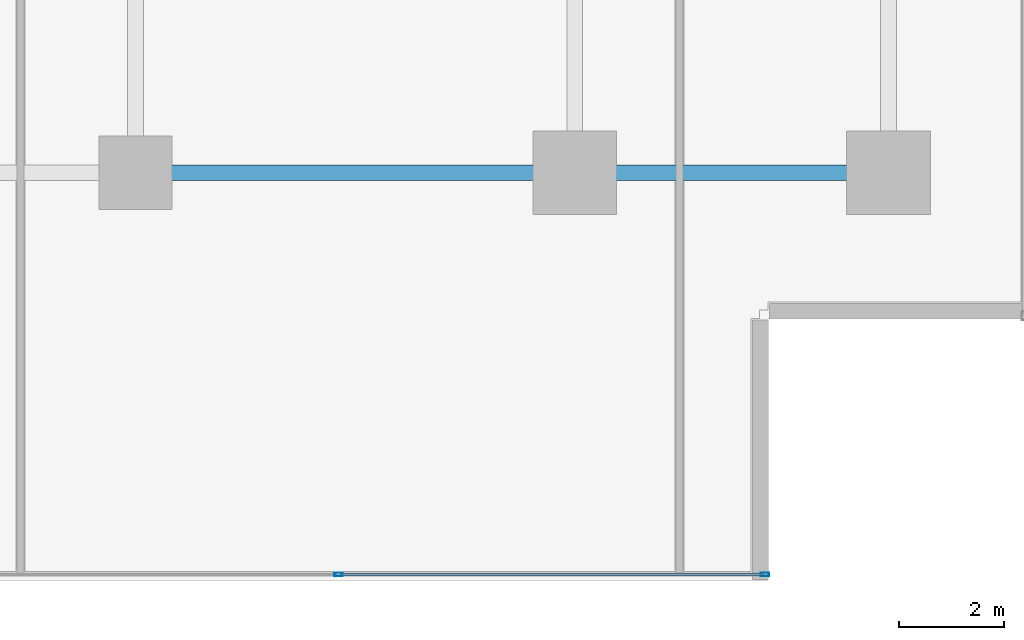
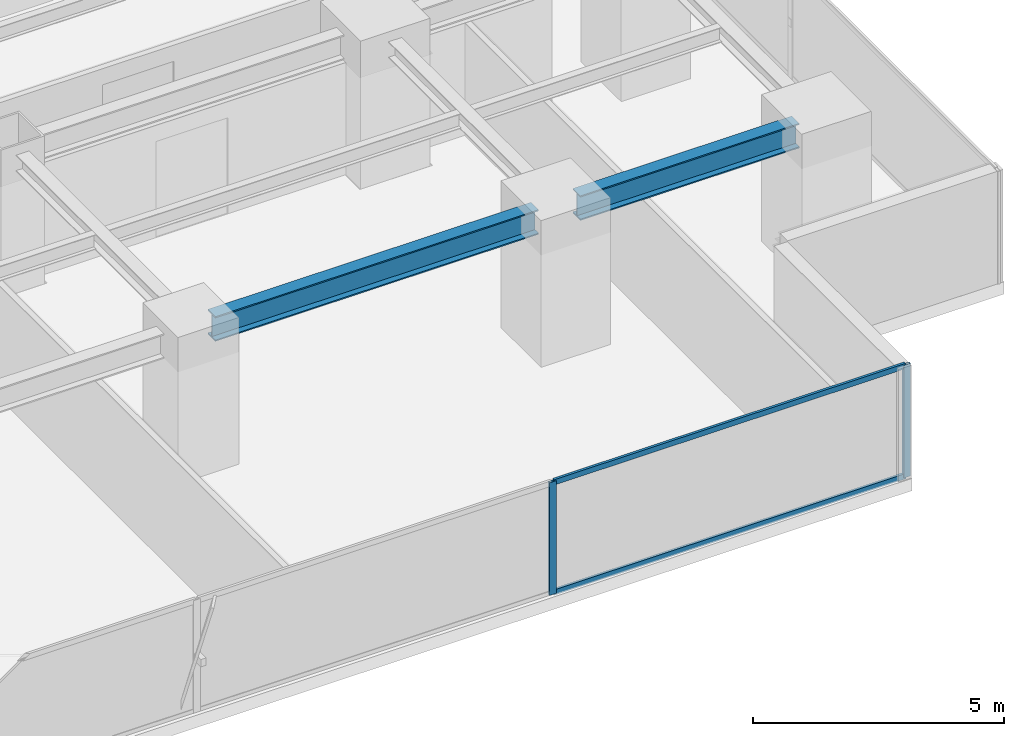
# One storey, part 12 of 36: 4 members, 2 beams, 1 element without a shape of its own.
"""IFC4 building model written with IfcOpenShell, lengths in metres."""

from ifc_helpers import new_model, si_unit, direction, frame, origin, origin_2d, place, context, subcontext, project, spatial, hollow_rectangle, i_section, extrude, source, transform, mapped, material, layer, layer_set, material_profile, profile_set, type_object, element, aggregate, save


model = new_model("IFC4")

# Units and contexts
model_context = context("Model", 3, precision=1e-05, world=origin(), true_north=direction((0.0, 1.0)))
body_context = subcontext(model_context, "Body", "Model", "MODEL_VIEW")
ifc_project = project(units=[si_unit("LENGTHUNIT", "METRE"), si_unit("AREAUNIT", "SQUARE_METRE"), si_unit("VOLUMEUNIT", "CUBIC_METRE"), si_unit("PLANEANGLEUNIT", "RADIAN"), si_unit("MASSUNIT", "GRAM", prefix="KILO")], contexts=[model_context])

# Site, building, storey
site_placement = place(None, origin())
site = spatial("IfcSite", under=ifc_project, at=site_placement, CompositionType="ELEMENT")
building_placement = place(site_placement, origin())
building = spatial("IfcBuilding", under=site, at=building_placement, Name="Sumidabori Civic Tower", CompositionType="ELEMENT")
storey_placement = place(building_placement, frame((0.0, 0.0, 77.60009765625)))
storey = spatial("IfcBuildingStorey", under=building, at=storey_placement, Name="L19", CompositionType="ELEMENT", Elevation=77.60009765625)

# Beams
ifc_material_1 = material(Name="Steel SN490", Category="steel")
ifc_material_profile_1 = material_profile(ifc_material_1, i_section(OverallWidth=0.300048828125, OverallDepth=0.60009765625, WebThickness=0.015380859375, FlangeThickness=0.030029296875, at=origin_2d()), Name="HE 600 B")
ifc_profile_set_1 = profile_set([ifc_material_profile_1], Name="Steel SN490")
beam_type = type_object("IfcBeamType", Name="BM-GIRD-600", PredefinedType="BEAM", material=ifc_profile_set_1)
shared_shape_1 = source(origin(), body_context, "Body", "SweptSolid", [
    extrude(i_section(OverallWidth=0.300048828125, OverallDepth=0.60009765625, WebThickness=0.015380859375, FlangeThickness=0.030029296875, at=origin_2d()), origin(), (0.0, 0.0, 1.0), 5.0400390625),
])
beam_1_placement = place(storey_placement, frame((17.280029296875, -18.0, 3.059814453125), z_axis=(1.0, 0.0, 0.0), x_axis=(0.0, 1.0, 0.0)))
element("IfcBeam", 1, at=beam_1_placement, inside=storey, type_object=beam_type, Name="Primary Girder L19 GX-06", PredefinedType="BEAM", context=body_context, shape_type="MappedRepresentation", body=[
    mapped(shared_shape_1, transform((0.0, 0.0, 0.0), x_axis=(1.0, 0.0, 0.0), y_axis=(0.0, 1.0, 0.0), z_axis=(0.0, 0.0, 1.0), scale=1.0)),
])
shared_shape_2 = source(origin(), body_context, "Body", "SweptSolid", [
    extrude(i_section(OverallWidth=0.300048828125, OverallDepth=0.60009765625, WebThickness=0.015380859375, FlangeThickness=0.030029296875, at=origin_2d()), origin(), (0.0, 0.0, 1.0), 7.440185546875),
])
beam_2_placement = place(storey_placement, frame((8.8798828125, -18.0, 3.059814453125), z_axis=(1.0, 0.0, 0.0), x_axis=(0.0, 1.0, 0.0)))
element("IfcBeam", 2, at=beam_2_placement, inside=storey, type_object=beam_type, Name="Primary Girder L19 GX-05", PredefinedType="BEAM", context=body_context, shape_type="MappedRepresentation", body=[
    mapped(shared_shape_2, transform((0.0, 0.0, 0.0), x_axis=(1.0, 0.0, 0.0), y_axis=(0.0, 1.0, 0.0), z_axis=(0.0, 0.0, 1.0), scale=1.0)),
])

# Curtain wall, members
ifc_material_2 = material(Name="Anodised Bronze Aluminium AW-6063-T6", Category="aluminium")
ifc_layer = layer(ifc_material_2, 0.179931640625, Name="Anodised Bronze Aluminium AW-6063-T6")
ifc_layer_set = layer_set([ifc_layer], Name="Anodised Bronze Aluminium AW-6063-T6")
curtain_wall_type = type_object("IfcCurtainWallType", Name="CW-SYS-3", PredefinedType="NOTDEFINED", material=ifc_layer_set)
curtain_wall_placement = place(storey_placement, origin())
curtain_wall = element("IfcCurtainWall", 3, at=curtain_wall_placement, inside=storey, type_object=curtain_wall_type, Name="Curtain Wall CW:L19:R01", PredefinedType="NOTDEFINED")
ifc_material_profile_2 = material_profile(ifc_material_2, hollow_rectangle(XDim=0.06494140625, YDim=0.159912109375, WallThickness=0.0048828125, at=origin_2d()), Name="ALU MULLION 160x65")
ifc_profile_set_2 = profile_set([ifc_material_profile_2], Name="Anodised Bronze Aluminium AW-6063-T6")
member_type_1 = type_object("IfcMemberType", Name="CW-MUL-160", PredefinedType="MULLION", material=ifc_profile_set_2)
shared_shape_3 = source(origin(), body_context, "Body", "SweptSolid", [
    extrude(hollow_rectangle(XDim=0.06494140625, YDim=0.159912109375, WallThickness=0.0048828125, at=origin_2d()), origin(), (0.0, 0.0, 1.0), 2.739990234375),
])
member_1_placement = place(storey_placement, frame((12.281982421875, -25.679931640625, 0.0), z_axis=(0.0, 0.0, 1.0), x_axis=(0.0, 1.0, 0.0)))
member_1 = element("IfcMember", 4, at=member_1_placement, type_object=member_type_1, Name="CW-3 mullion 5", PredefinedType="MULLION", context=body_context, shape_type="MappedRepresentation", body=[
    mapped(shared_shape_3, transform((0.0, 0.0, 0.0), x_axis=(1.0, 0.0, 0.0), y_axis=(0.0, 1.0, 0.0), z_axis=(0.0, 0.0, 1.0), scale=1.0)),
])
member_2_placement = place(storey_placement, frame((20.4375, -25.679931640625, 0.0), z_axis=(0.0, 0.0, 1.0), x_axis=(0.0, 1.0, 0.0)))
member_2 = element("IfcMember", 5, at=member_2_placement, type_object=member_type_1, Name="CW-3 mullion 6", PredefinedType="MULLION", context=body_context, shape_type="MappedRepresentation", body=[
    mapped(shared_shape_3, transform((0.0, 0.0, 0.0), x_axis=(1.0, 0.0, 0.0), y_axis=(0.0, 1.0, 0.0), z_axis=(0.0, 0.0, 1.0), scale=1.0)),
])
ifc_material_profile_3 = material_profile(ifc_material_2, hollow_rectangle(XDim=0.06005859375, YDim=0.1298828125, WallThickness=0.0048828125, at=origin_2d()), Name="ALU TRANSOM 130x60")
ifc_profile_set_3 = profile_set([ifc_material_profile_3], Name="Anodised Bronze Aluminium AW-6063-T6")
member_type_2 = type_object("IfcMemberType", Name="CW-TRN-130", PredefinedType="USERDEFINED", material=ifc_profile_set_3)
shared_shape_4 = source(origin(), body_context, "Body", "SweptSolid", [
    extrude(hollow_rectangle(XDim=0.06005859375, YDim=0.1298828125, WallThickness=0.0048828125, at=origin_2d()), origin(), (0.0, 0.0, 1.0), 8.090576171875),
])
member_3_placement = place(storey_placement, frame((12.314453125, -25.679931640625, 0.02978515625), z_axis=(1.0, 0.0, 0.0), x_axis=(0.0, 1.0, 0.0)))
member_3 = element("IfcMember", 6, at=member_3_placement, type_object=member_type_2, Name="CW-3 transom 5.1", ObjectType="TRANSOM", PredefinedType="USERDEFINED", context=body_context, shape_type="MappedRepresentation", body=[
    mapped(shared_shape_4, transform((0.0, 0.0, 0.0), x_axis=(1.0, 0.0, 0.0), y_axis=(0.0, 1.0, 0.0), z_axis=(0.0, 0.0, 1.0), scale=1.0)),
])
member_4_placement = place(storey_placement, frame((12.314453125, -25.679931640625, 2.7099609375), z_axis=(1.0, 0.0, 0.0), x_axis=(0.0, 1.0, 0.0)))
member_4 = element("IfcMember", 7, at=member_4_placement, type_object=member_type_2, Name="CW-3 transom 5.2", ObjectType="TRANSOM", PredefinedType="USERDEFINED", context=body_context, shape_type="MappedRepresentation", body=[
    mapped(shared_shape_4, transform((0.0, 0.0, 0.0), x_axis=(1.0, 0.0, 0.0), y_axis=(0.0, 1.0, 0.0), z_axis=(0.0, 0.0, 1.0), scale=1.0)),
])
aggregate(curtain_wall, [member_1, member_2, member_3, member_4])

save(model, "model.ifc")
